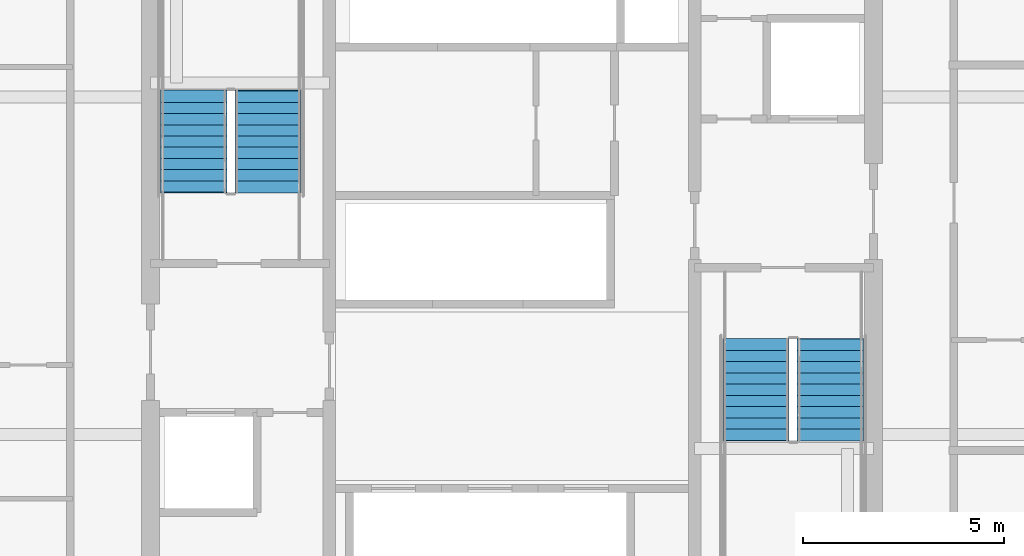
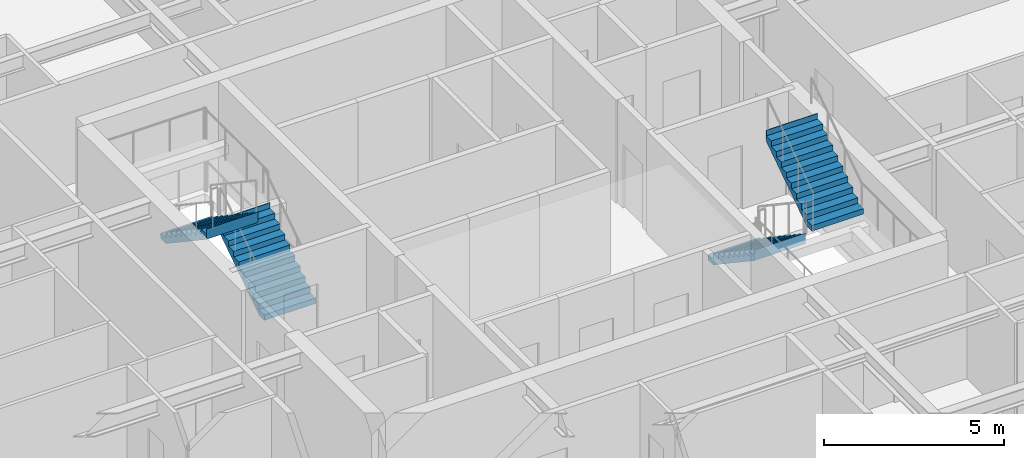
# One storey, part 33 of 38: 4 stair flights, 2 elements without a shape of their own.
"""IFC4 building model written with IfcOpenShell, lengths in metres."""

from ifc_helpers import new_model, si_unit, direction, frame, origin, place, context, subcontext, project, spatial, polygons, material, type_object, element, aggregate, save


model = new_model("IFC4")

# Units and contexts
model_context = context("Model", 3, precision=1e-05, world=origin(), true_north=direction((0.0, 1.0)))
body_context = subcontext(model_context, "Body", "Model", "MODEL_VIEW")
ifc_project = project(units=[si_unit("LENGTHUNIT", "METRE"), si_unit("AREAUNIT", "SQUARE_METRE"), si_unit("VOLUMEUNIT", "CUBIC_METRE"), si_unit("PLANEANGLEUNIT", "RADIAN"), si_unit("MASSUNIT", "GRAM", prefix="KILO")], contexts=[model_context])

# Site, building, storey
site_placement = place(None, origin())
site = spatial("IfcSite", under=ifc_project, at=site_placement, CompositionType="ELEMENT")
building_placement = place(site_placement, origin())
building = spatial("IfcBuilding", under=site, at=building_placement, Name="Serunith Strait Residences", CompositionType="ELEMENT")
storey_placement = place(building_placement, frame((0.0, 0.0, 82.949951171875)))
storey = spatial("IfcBuildingStorey", under=building, at=storey_placement, Name="L20", CompositionType="ELEMENT", Elevation=82.949951171875)

# Stair, stair flights
ifc_material = material(Name="Concrete C50/60", Category="concrete")
stair_type_1 = type_object("IfcStairType", Name="STR-CORE-1", PredefinedType="HALF_TURN_STAIR", material=ifc_material)
stair_1_placement = place(storey_placement, origin())
stair_1 = element("IfcStair", 1, at=stair_1_placement, inside=storey, type_object=stair_type_1, Name="L20 Protected Escape Stair ST-1", PredefinedType="HALF_TURN_STAIR")
stair_flight_type_1 = type_object("IfcStairFlightType", Name="FLT-CORE-1", PredefinedType="STRAIGHT", material=ifc_material)
stair_flight_1_placement = place(storey_placement, frame((26.324951171875, 27.030029296875, 0.0), z_axis=(0.0, 0.0, 1.0), x_axis=(0.0, 1.0, 0.0)))
stair_flight_1 = element("IfcStairFlight", 2, at=stair_flight_1_placement, type_object=stair_flight_type_1, Name="ST-1 flight 1", NumberOfRisers=10, NumberOfTreads=9, PredefinedType="STRAIGHT", RiserHeight=0.1875, TreadLength=0.28, context=body_context, shape_type="Tessellation", body=[
    polygons([(-0.02001953125, -0.824951171875, 0.0), (-0.02001953125, -0.824951171875, 0.1875), (0.280029296875, -0.824951171875, 0.1875), (0.280029296875, -0.824951171875, 0.375), (0.56005859375, -0.824951171875, 0.375), (0.56005859375, -0.824951171875, 0.5625), (0.840087890625, -0.824951171875, 0.5625), (0.840087890625, -0.824951171875, 0.75), (1.1201171875, -0.824951171875, 0.75), (1.1201171875, -0.824951171875, 0.9375), (1.39990234375, -0.824951171875, 0.9375), (1.39990234375, -0.824951171875, 1.125), (1.679931640625, -0.824951171875, 1.125), (1.679931640625, -0.824951171875, 1.3125), (1.9599609375, -0.824951171875, 1.3125), (1.9599609375, -0.824951171875, 1.5), (2.239990234375, -0.824951171875, 1.5), (2.239990234375, -0.824951171875, 1.6875), (2.52001953125, -0.824951171875, 1.6875), (2.52001953125, -0.824951171875, 1.875), (2.5400390625, -0.824951171875, 1.875), (2.5400390625, -0.824951171875, 1.81494140625), (2.52001953125, -0.824951171875, 1.507080078125), (0.26953125, -0.824951171875, 0.0), (-0.02001953125, -0.41259765625, 0.0), (-0.02001953125, -0.41259765625, 0.1875), (0.280029296875, -0.41259765625, 0.1875), (0.280029296875, -0.41259765625, 0.375), (0.56005859375, -0.41259765625, 0.375), (0.56005859375, -0.41259765625, 0.5625), (0.840087890625, -0.41259765625, 0.5625), (0.840087890625, -0.41259765625, 0.75), (1.1201171875, -0.41259765625, 0.75), (1.1201171875, -0.41259765625, 0.9375), (1.39990234375, -0.41259765625, 0.9375), (1.39990234375, -0.41259765625, 1.125), (1.679931640625, -0.41259765625, 1.125), (1.679931640625, -0.41259765625, 1.3125), (1.9599609375, -0.41259765625, 1.3125), (1.9599609375, -0.41259765625, 1.5), (2.239990234375, -0.41259765625, 1.5), (2.239990234375, -0.41259765625, 1.6875), (2.52001953125, -0.41259765625, 1.6875), (2.52001953125, -0.41259765625, 1.875), (2.5400390625, -0.41259765625, 1.875), (2.5400390625, -0.41259765625, 1.81494140625), (2.52001953125, -0.41259765625, 1.507080078125), (0.26953125, -0.41259765625, 0.0), (-0.02001953125, 0.0, 0.0), (-0.02001953125, 0.0, 0.1875), (0.280029296875, 0.0, 0.1875), (0.280029296875, 0.0, 0.375), (0.56005859375, 0.0, 0.375), (0.56005859375, 0.0, 0.5625), (0.840087890625, 0.0, 0.5625), (0.840087890625, 0.0, 0.75), (1.1201171875, 0.0, 0.75), (1.1201171875, 0.0, 0.9375), (1.39990234375, 0.0, 0.9375), (1.39990234375, 0.0, 1.125), (1.679931640625, 0.0, 1.125), (1.679931640625, 0.0, 1.3125), (1.9599609375, 0.0, 1.3125), (1.9599609375, 0.0, 1.5), (2.239990234375, 0.0, 1.5), (2.239990234375, 0.0, 1.6875), (2.52001953125, 0.0, 1.6875), (2.52001953125, 0.0, 1.875), (2.5400390625, 0.0, 1.875), (2.5400390625, 0.0, 1.81494140625), (2.52001953125, 0.0, 1.507080078125), (0.26953125, 0.0, 0.0), (-0.02001953125, 0.41259765625, 0.0), (-0.02001953125, 0.41259765625, 0.1875), (0.280029296875, 0.41259765625, 0.1875), (0.280029296875, 0.41259765625, 0.375), (0.56005859375, 0.41259765625, 0.375), (0.56005859375, 0.41259765625, 0.5625), (0.840087890625, 0.41259765625, 0.5625), (0.840087890625, 0.41259765625, 0.75), (1.1201171875, 0.41259765625, 0.75), (1.1201171875, 0.41259765625, 0.9375), (1.39990234375, 0.41259765625, 0.9375), (1.39990234375, 0.41259765625, 1.125), (1.679931640625, 0.41259765625, 1.125), (1.679931640625, 0.41259765625, 1.3125), (1.9599609375, 0.41259765625, 1.3125), (1.9599609375, 0.41259765625, 1.5), (2.239990234375, 0.41259765625, 1.5), (2.239990234375, 0.41259765625, 1.6875), (2.52001953125, 0.41259765625, 1.6875), (2.52001953125, 0.41259765625, 1.875), (2.5400390625, 0.41259765625, 1.875), (2.5400390625, 0.41259765625, 1.81494140625), (2.52001953125, 0.41259765625, 1.507080078125), (0.26953125, 0.41259765625, 0.0), (-0.02001953125, 0.824951171875, 0.0), (-0.02001953125, 0.824951171875, 0.1875), (0.280029296875, 0.824951171875, 0.1875), (0.280029296875, 0.824951171875, 0.375), (0.56005859375, 0.824951171875, 0.375), (0.56005859375, 0.824951171875, 0.5625), (0.840087890625, 0.824951171875, 0.5625), (0.840087890625, 0.824951171875, 0.75), (1.1201171875, 0.824951171875, 0.75), (1.1201171875, 0.824951171875, 0.9375), (1.39990234375, 0.824951171875, 0.9375), (1.39990234375, 0.824951171875, 1.125), (1.679931640625, 0.824951171875, 1.125), (1.679931640625, 0.824951171875, 1.3125), (1.9599609375, 0.824951171875, 1.3125), (1.9599609375, 0.824951171875, 1.5), (2.239990234375, 0.824951171875, 1.5), (2.239990234375, 0.824951171875, 1.6875), (2.52001953125, 0.824951171875, 1.6875), (2.52001953125, 0.824951171875, 1.875), (2.5400390625, 0.824951171875, 1.875), (2.5400390625, 0.824951171875, 1.81494140625), (2.52001953125, 0.824951171875, 1.507080078125), (0.26953125, 0.824951171875, 0.0)], [[[1, 2, 26, 25]], [[2, 3, 27, 26]], [[3, 4, 28, 27]], [[4, 5, 29, 28]], [[5, 6, 30, 29]], [[6, 7, 31, 30]], [[7, 8, 32, 31]], [[8, 9, 33, 32]], [[9, 10, 34, 33]], [[10, 11, 35, 34]], [[11, 12, 36, 35]], [[12, 13, 37, 36]], [[13, 14, 38, 37]], [[14, 15, 39, 38]], [[15, 16, 40, 39]], [[16, 17, 41, 40]], [[17, 18, 42, 41]], [[18, 19, 43, 42]], [[19, 20, 44, 43]], [[20, 21, 45, 44]], [[21, 22, 46, 45]], [[22, 23, 47, 46]], [[23, 24, 48, 47]], [[24, 1, 25, 48]], [[25, 26, 50, 49]], [[26, 27, 51, 50]], [[27, 28, 52, 51]], [[28, 29, 53, 52]], [[29, 30, 54, 53]], [[30, 31, 55, 54]], [[31, 32, 56, 55]], [[32, 33, 57, 56]], [[33, 34, 58, 57]], [[34, 35, 59, 58]], [[35, 36, 60, 59]], [[36, 37, 61, 60]], [[37, 38, 62, 61]], [[38, 39, 63, 62]], [[39, 40, 64, 63]], [[40, 41, 65, 64]], [[41, 42, 66, 65]], [[42, 43, 67, 66]], [[43, 44, 68, 67]], [[44, 45, 69, 68]], [[45, 46, 70, 69]], [[46, 47, 71, 70]], [[47, 48, 72, 71]], [[48, 25, 49, 72]], [[49, 50, 74, 73]], [[50, 51, 75, 74]], [[51, 52, 76, 75]], [[52, 53, 77, 76]], [[53, 54, 78, 77]], [[54, 55, 79, 78]], [[55, 56, 80, 79]], [[56, 57, 81, 80]], [[57, 58, 82, 81]], [[58, 59, 83, 82]], [[59, 60, 84, 83]], [[60, 61, 85, 84]], [[61, 62, 86, 85]], [[62, 63, 87, 86]], [[63, 64, 88, 87]], [[64, 65, 89, 88]], [[65, 66, 90, 89]], [[66, 67, 91, 90]], [[67, 68, 92, 91]], [[68, 69, 93, 92]], [[69, 70, 94, 93]], [[70, 71, 95, 94]], [[71, 72, 96, 95]], [[72, 49, 73, 96]], [[73, 74, 98, 97]], [[74, 75, 99, 98]], [[75, 76, 100, 99]], [[76, 77, 101, 100]], [[77, 78, 102, 101]], [[78, 79, 103, 102]], [[79, 80, 104, 103]], [[80, 81, 105, 104]], [[81, 82, 106, 105]], [[82, 83, 107, 106]], [[83, 84, 108, 107]], [[84, 85, 109, 108]], [[85, 86, 110, 109]], [[86, 87, 111, 110]], [[87, 88, 112, 111]], [[88, 89, 113, 112]], [[89, 90, 114, 113]], [[90, 91, 115, 114]], [[91, 92, 116, 115]], [[92, 93, 117, 116]], [[93, 94, 118, 117]], [[94, 95, 119, 118]], [[95, 96, 120, 119]], [[96, 73, 97, 120]], [[24, 23, 22, 21, 20, 19, 18, 17, 16, 15, 14, 13, 12, 11, 10, 9, 8, 7, 6, 5, 4, 3, 2, 1]], [[97, 98, 99, 100, 101, 102, 103, 104, 105, 106, 107, 108, 109, 110, 111, 112, 113, 114, 115, 116, 117, 118, 119, 120]]], closed=True),
])
stair_flight_2_placement = place(storey_placement, frame((24.47509765625, 29.550048828125, 1.875), z_axis=(0.0, 0.0, 1.0), x_axis=(0.0, -1.0, 0.0)))
stair_flight_2 = element("IfcStairFlight", 3, at=stair_flight_2_placement, type_object=stair_flight_type_1, Name="ST-1 flight 2", NumberOfRisers=10, NumberOfTreads=9, PredefinedType="STRAIGHT", RiserHeight=0.1875, TreadLength=0.28, context=body_context, shape_type="Tessellation", body=[
    polygons([(-0.02001953125, -0.824951171875, 0.0), (-0.02001953125, -0.824951171875, 0.1875), (0.280029296875, -0.824951171875, 0.1875), (0.280029296875, -0.824951171875, 0.375), (0.56005859375, -0.824951171875, 0.375), (0.56005859375, -0.824951171875, 0.5625), (0.840087890625, -0.824951171875, 0.5625), (0.840087890625, -0.824951171875, 0.75), (1.1201171875, -0.824951171875, 0.75), (1.1201171875, -0.824951171875, 0.9375), (1.39990234375, -0.824951171875, 0.9375), (1.39990234375, -0.824951171875, 1.125), (1.679931640625, -0.824951171875, 1.125), (1.679931640625, -0.824951171875, 1.3125), (1.9599609375, -0.824951171875, 1.3125), (1.9599609375, -0.824951171875, 1.5), (2.239990234375, -0.824951171875, 1.5), (2.239990234375, -0.824951171875, 1.6875), (2.52001953125, -0.824951171875, 1.6875), (2.52001953125, -0.824951171875, 1.875), (2.5400390625, -0.824951171875, 1.875), (2.5400390625, -0.824951171875, 1.81494140625), (2.52001953125, -0.824951171875, 1.507080078125), (0.26953125, -0.824951171875, 0.0), (-0.02001953125, -0.41259765625, 0.0), (-0.02001953125, -0.41259765625, 0.1875), (0.280029296875, -0.41259765625, 0.1875), (0.280029296875, -0.41259765625, 0.375), (0.56005859375, -0.41259765625, 0.375), (0.56005859375, -0.41259765625, 0.5625), (0.840087890625, -0.41259765625, 0.5625), (0.840087890625, -0.41259765625, 0.75), (1.1201171875, -0.41259765625, 0.75), (1.1201171875, -0.41259765625, 0.9375), (1.39990234375, -0.41259765625, 0.9375), (1.39990234375, -0.41259765625, 1.125), (1.679931640625, -0.41259765625, 1.125), (1.679931640625, -0.41259765625, 1.3125), (1.9599609375, -0.41259765625, 1.3125), (1.9599609375, -0.41259765625, 1.5), (2.239990234375, -0.41259765625, 1.5), (2.239990234375, -0.41259765625, 1.6875), (2.52001953125, -0.41259765625, 1.6875), (2.52001953125, -0.41259765625, 1.875), (2.5400390625, -0.41259765625, 1.875), (2.5400390625, -0.41259765625, 1.81494140625), (2.52001953125, -0.41259765625, 1.507080078125), (0.26953125, -0.41259765625, 0.0), (-0.02001953125, 0.0, 0.0), (-0.02001953125, 0.0, 0.1875), (0.280029296875, 0.0, 0.1875), (0.280029296875, 0.0, 0.375), (0.56005859375, 0.0, 0.375), (0.56005859375, 0.0, 0.5625), (0.840087890625, 0.0, 0.5625), (0.840087890625, 0.0, 0.75), (1.1201171875, 0.0, 0.75), (1.1201171875, 0.0, 0.9375), (1.39990234375, 0.0, 0.9375), (1.39990234375, 0.0, 1.125), (1.679931640625, 0.0, 1.125), (1.679931640625, 0.0, 1.3125), (1.9599609375, 0.0, 1.3125), (1.9599609375, 0.0, 1.5), (2.239990234375, 0.0, 1.5), (2.239990234375, 0.0, 1.6875), (2.52001953125, 0.0, 1.6875), (2.52001953125, 0.0, 1.875), (2.5400390625, 0.0, 1.875), (2.5400390625, 0.0, 1.81494140625), (2.52001953125, 0.0, 1.507080078125), (0.26953125, 0.0, 0.0), (-0.02001953125, 0.41259765625, 0.0), (-0.02001953125, 0.41259765625, 0.1875), (0.280029296875, 0.41259765625, 0.1875), (0.280029296875, 0.41259765625, 0.375), (0.56005859375, 0.41259765625, 0.375), (0.56005859375, 0.41259765625, 0.5625), (0.840087890625, 0.41259765625, 0.5625), (0.840087890625, 0.41259765625, 0.75), (1.1201171875, 0.41259765625, 0.75), (1.1201171875, 0.41259765625, 0.9375), (1.39990234375, 0.41259765625, 0.9375), (1.39990234375, 0.41259765625, 1.125), (1.679931640625, 0.41259765625, 1.125), (1.679931640625, 0.41259765625, 1.3125), (1.9599609375, 0.41259765625, 1.3125), (1.9599609375, 0.41259765625, 1.5), (2.239990234375, 0.41259765625, 1.5), (2.239990234375, 0.41259765625, 1.6875), (2.52001953125, 0.41259765625, 1.6875), (2.52001953125, 0.41259765625, 1.875), (2.5400390625, 0.41259765625, 1.875), (2.5400390625, 0.41259765625, 1.81494140625), (2.52001953125, 0.41259765625, 1.507080078125), (0.26953125, 0.41259765625, 0.0), (-0.02001953125, 0.824951171875, 0.0), (-0.02001953125, 0.824951171875, 0.1875), (0.280029296875, 0.824951171875, 0.1875), (0.280029296875, 0.824951171875, 0.375), (0.56005859375, 0.824951171875, 0.375), (0.56005859375, 0.824951171875, 0.5625), (0.840087890625, 0.824951171875, 0.5625), (0.840087890625, 0.824951171875, 0.75), (1.1201171875, 0.824951171875, 0.75), (1.1201171875, 0.824951171875, 0.9375), (1.39990234375, 0.824951171875, 0.9375), (1.39990234375, 0.824951171875, 1.125), (1.679931640625, 0.824951171875, 1.125), (1.679931640625, 0.824951171875, 1.3125), (1.9599609375, 0.824951171875, 1.3125), (1.9599609375, 0.824951171875, 1.5), (2.239990234375, 0.824951171875, 1.5), (2.239990234375, 0.824951171875, 1.6875), (2.52001953125, 0.824951171875, 1.6875), (2.52001953125, 0.824951171875, 1.875), (2.5400390625, 0.824951171875, 1.875), (2.5400390625, 0.824951171875, 1.81494140625), (2.52001953125, 0.824951171875, 1.507080078125), (0.26953125, 0.824951171875, 0.0)], [[[1, 2, 26, 25]], [[2, 3, 27, 26]], [[3, 4, 28, 27]], [[4, 5, 29, 28]], [[5, 6, 30, 29]], [[6, 7, 31, 30]], [[7, 8, 32, 31]], [[8, 9, 33, 32]], [[9, 10, 34, 33]], [[10, 11, 35, 34]], [[11, 12, 36, 35]], [[12, 13, 37, 36]], [[13, 14, 38, 37]], [[14, 15, 39, 38]], [[15, 16, 40, 39]], [[16, 17, 41, 40]], [[17, 18, 42, 41]], [[18, 19, 43, 42]], [[19, 20, 44, 43]], [[20, 21, 45, 44]], [[21, 22, 46, 45]], [[22, 23, 47, 46]], [[23, 24, 48, 47]], [[24, 1, 25, 48]], [[25, 26, 50, 49]], [[26, 27, 51, 50]], [[27, 28, 52, 51]], [[28, 29, 53, 52]], [[29, 30, 54, 53]], [[30, 31, 55, 54]], [[31, 32, 56, 55]], [[32, 33, 57, 56]], [[33, 34, 58, 57]], [[34, 35, 59, 58]], [[35, 36, 60, 59]], [[36, 37, 61, 60]], [[37, 38, 62, 61]], [[38, 39, 63, 62]], [[39, 40, 64, 63]], [[40, 41, 65, 64]], [[41, 42, 66, 65]], [[42, 43, 67, 66]], [[43, 44, 68, 67]], [[44, 45, 69, 68]], [[45, 46, 70, 69]], [[46, 47, 71, 70]], [[47, 48, 72, 71]], [[48, 25, 49, 72]], [[49, 50, 74, 73]], [[50, 51, 75, 74]], [[51, 52, 76, 75]], [[52, 53, 77, 76]], [[53, 54, 78, 77]], [[54, 55, 79, 78]], [[55, 56, 80, 79]], [[56, 57, 81, 80]], [[57, 58, 82, 81]], [[58, 59, 83, 82]], [[59, 60, 84, 83]], [[60, 61, 85, 84]], [[61, 62, 86, 85]], [[62, 63, 87, 86]], [[63, 64, 88, 87]], [[64, 65, 89, 88]], [[65, 66, 90, 89]], [[66, 67, 91, 90]], [[67, 68, 92, 91]], [[68, 69, 93, 92]], [[69, 70, 94, 93]], [[70, 71, 95, 94]], [[71, 72, 96, 95]], [[72, 49, 73, 96]], [[73, 74, 98, 97]], [[74, 75, 99, 98]], [[75, 76, 100, 99]], [[76, 77, 101, 100]], [[77, 78, 102, 101]], [[78, 79, 103, 102]], [[79, 80, 104, 103]], [[80, 81, 105, 104]], [[81, 82, 106, 105]], [[82, 83, 107, 106]], [[83, 84, 108, 107]], [[84, 85, 109, 108]], [[85, 86, 110, 109]], [[86, 87, 111, 110]], [[87, 88, 112, 111]], [[88, 89, 113, 112]], [[89, 90, 114, 113]], [[90, 91, 115, 114]], [[91, 92, 116, 115]], [[92, 93, 117, 116]], [[93, 94, 118, 117]], [[94, 95, 119, 118]], [[95, 96, 120, 119]], [[96, 73, 97, 120]], [[24, 23, 22, 21, 20, 19, 18, 17, 16, 15, 14, 13, 12, 11, 10, 9, 8, 7, 6, 5, 4, 3, 2, 1]], [[97, 98, 99, 100, 101, 102, 103, 104, 105, 106, 107, 108, 109, 110, 111, 112, 113, 114, 115, 116, 117, 118, 119, 120]]], closed=True),
])
aggregate(stair_1, [stair_flight_1, stair_flight_2])

stair_type_2 = type_object("IfcStairType", Name="STR-CORE-2", PredefinedType="HALF_TURN_STAIR", material=ifc_material)
stair_2_placement = place(storey_placement, origin())
stair_2 = element("IfcStair", 4, at=stair_2_placement, inside=storey, type_object=stair_type_2, Name="L20 Protected Escape Stair ST-2", PredefinedType="HALF_TURN_STAIR")
stair_flight_type_2 = type_object("IfcStairFlightType", Name="FLT-CORE-2", PredefinedType="STRAIGHT", material=ifc_material)
stair_flight_3_placement = place(storey_placement, frame((38.47509765625, 23.3701171875, 0.0), z_axis=(0.0, 0.0, 1.0), x_axis=(0.0, -1.0, 0.0)))
stair_flight_3 = element("IfcStairFlight", 5, at=stair_flight_3_placement, type_object=stair_flight_type_2, Name="ST-2 flight 1", NumberOfRisers=10, NumberOfTreads=9, PredefinedType="STRAIGHT", RiserHeight=0.1875, TreadLength=0.28, context=body_context, shape_type="Tessellation", body=[
    polygons([(-0.02001953125, -0.824951171875, 0.0), (-0.02001953125, -0.824951171875, 0.1875), (0.280029296875, -0.824951171875, 0.1875), (0.280029296875, -0.824951171875, 0.375), (0.56005859375, -0.824951171875, 0.375), (0.56005859375, -0.824951171875, 0.5625), (0.840087890625, -0.824951171875, 0.5625), (0.840087890625, -0.824951171875, 0.75), (1.1201171875, -0.824951171875, 0.75), (1.1201171875, -0.824951171875, 0.9375), (1.39990234375, -0.824951171875, 0.9375), (1.39990234375, -0.824951171875, 1.125), (1.679931640625, -0.824951171875, 1.125), (1.679931640625, -0.824951171875, 1.3125), (1.9599609375, -0.824951171875, 1.3125), (1.9599609375, -0.824951171875, 1.5), (2.239990234375, -0.824951171875, 1.5), (2.239990234375, -0.824951171875, 1.6875), (2.52001953125, -0.824951171875, 1.6875), (2.52001953125, -0.824951171875, 1.875), (2.5400390625, -0.824951171875, 1.875), (2.5400390625, -0.824951171875, 1.81494140625), (2.52001953125, -0.824951171875, 1.507080078125), (0.26953125, -0.824951171875, 0.0), (-0.02001953125, -0.41259765625, 0.0), (-0.02001953125, -0.41259765625, 0.1875), (0.280029296875, -0.41259765625, 0.1875), (0.280029296875, -0.41259765625, 0.375), (0.56005859375, -0.41259765625, 0.375), (0.56005859375, -0.41259765625, 0.5625), (0.840087890625, -0.41259765625, 0.5625), (0.840087890625, -0.41259765625, 0.75), (1.1201171875, -0.41259765625, 0.75), (1.1201171875, -0.41259765625, 0.9375), (1.39990234375, -0.41259765625, 0.9375), (1.39990234375, -0.41259765625, 1.125), (1.679931640625, -0.41259765625, 1.125), (1.679931640625, -0.41259765625, 1.3125), (1.9599609375, -0.41259765625, 1.3125), (1.9599609375, -0.41259765625, 1.5), (2.239990234375, -0.41259765625, 1.5), (2.239990234375, -0.41259765625, 1.6875), (2.52001953125, -0.41259765625, 1.6875), (2.52001953125, -0.41259765625, 1.875), (2.5400390625, -0.41259765625, 1.875), (2.5400390625, -0.41259765625, 1.81494140625), (2.52001953125, -0.41259765625, 1.507080078125), (0.26953125, -0.41259765625, 0.0), (-0.02001953125, 0.0, 0.0), (-0.02001953125, 0.0, 0.1875), (0.280029296875, 0.0, 0.1875), (0.280029296875, 0.0, 0.375), (0.56005859375, 0.0, 0.375), (0.56005859375, 0.0, 0.5625), (0.840087890625, 0.0, 0.5625), (0.840087890625, 0.0, 0.75), (1.1201171875, 0.0, 0.75), (1.1201171875, 0.0, 0.9375), (1.39990234375, 0.0, 0.9375), (1.39990234375, 0.0, 1.125), (1.679931640625, 0.0, 1.125), (1.679931640625, 0.0, 1.3125), (1.9599609375, 0.0, 1.3125), (1.9599609375, 0.0, 1.5), (2.239990234375, 0.0, 1.5), (2.239990234375, 0.0, 1.6875), (2.52001953125, 0.0, 1.6875), (2.52001953125, 0.0, 1.875), (2.5400390625, 0.0, 1.875), (2.5400390625, 0.0, 1.81494140625), (2.52001953125, 0.0, 1.507080078125), (0.26953125, 0.0, 0.0), (-0.02001953125, 0.41259765625, 0.0), (-0.02001953125, 0.41259765625, 0.1875), (0.280029296875, 0.41259765625, 0.1875), (0.280029296875, 0.41259765625, 0.375), (0.56005859375, 0.41259765625, 0.375), (0.56005859375, 0.41259765625, 0.5625), (0.840087890625, 0.41259765625, 0.5625), (0.840087890625, 0.41259765625, 0.75), (1.1201171875, 0.41259765625, 0.75), (1.1201171875, 0.41259765625, 0.9375), (1.39990234375, 0.41259765625, 0.9375), (1.39990234375, 0.41259765625, 1.125), (1.679931640625, 0.41259765625, 1.125), (1.679931640625, 0.41259765625, 1.3125), (1.9599609375, 0.41259765625, 1.3125), (1.9599609375, 0.41259765625, 1.5), (2.239990234375, 0.41259765625, 1.5), (2.239990234375, 0.41259765625, 1.6875), (2.52001953125, 0.41259765625, 1.6875), (2.52001953125, 0.41259765625, 1.875), (2.5400390625, 0.41259765625, 1.875), (2.5400390625, 0.41259765625, 1.81494140625), (2.52001953125, 0.41259765625, 1.507080078125), (0.26953125, 0.41259765625, 0.0), (-0.02001953125, 0.824951171875, 0.0), (-0.02001953125, 0.824951171875, 0.1875), (0.280029296875, 0.824951171875, 0.1875), (0.280029296875, 0.824951171875, 0.375), (0.56005859375, 0.824951171875, 0.375), (0.56005859375, 0.824951171875, 0.5625), (0.840087890625, 0.824951171875, 0.5625), (0.840087890625, 0.824951171875, 0.75), (1.1201171875, 0.824951171875, 0.75), (1.1201171875, 0.824951171875, 0.9375), (1.39990234375, 0.824951171875, 0.9375), (1.39990234375, 0.824951171875, 1.125), (1.679931640625, 0.824951171875, 1.125), (1.679931640625, 0.824951171875, 1.3125), (1.9599609375, 0.824951171875, 1.3125), (1.9599609375, 0.824951171875, 1.5), (2.239990234375, 0.824951171875, 1.5), (2.239990234375, 0.824951171875, 1.6875), (2.52001953125, 0.824951171875, 1.6875), (2.52001953125, 0.824951171875, 1.875), (2.5400390625, 0.824951171875, 1.875), (2.5400390625, 0.824951171875, 1.81494140625), (2.52001953125, 0.824951171875, 1.507080078125), (0.26953125, 0.824951171875, 0.0)], [[[1, 2, 26, 25]], [[2, 3, 27, 26]], [[3, 4, 28, 27]], [[4, 5, 29, 28]], [[5, 6, 30, 29]], [[6, 7, 31, 30]], [[7, 8, 32, 31]], [[8, 9, 33, 32]], [[9, 10, 34, 33]], [[10, 11, 35, 34]], [[11, 12, 36, 35]], [[12, 13, 37, 36]], [[13, 14, 38, 37]], [[14, 15, 39, 38]], [[15, 16, 40, 39]], [[16, 17, 41, 40]], [[17, 18, 42, 41]], [[18, 19, 43, 42]], [[19, 20, 44, 43]], [[20, 21, 45, 44]], [[21, 22, 46, 45]], [[22, 23, 47, 46]], [[23, 24, 48, 47]], [[24, 1, 25, 48]], [[25, 26, 50, 49]], [[26, 27, 51, 50]], [[27, 28, 52, 51]], [[28, 29, 53, 52]], [[29, 30, 54, 53]], [[30, 31, 55, 54]], [[31, 32, 56, 55]], [[32, 33, 57, 56]], [[33, 34, 58, 57]], [[34, 35, 59, 58]], [[35, 36, 60, 59]], [[36, 37, 61, 60]], [[37, 38, 62, 61]], [[38, 39, 63, 62]], [[39, 40, 64, 63]], [[40, 41, 65, 64]], [[41, 42, 66, 65]], [[42, 43, 67, 66]], [[43, 44, 68, 67]], [[44, 45, 69, 68]], [[45, 46, 70, 69]], [[46, 47, 71, 70]], [[47, 48, 72, 71]], [[48, 25, 49, 72]], [[49, 50, 74, 73]], [[50, 51, 75, 74]], [[51, 52, 76, 75]], [[52, 53, 77, 76]], [[53, 54, 78, 77]], [[54, 55, 79, 78]], [[55, 56, 80, 79]], [[56, 57, 81, 80]], [[57, 58, 82, 81]], [[58, 59, 83, 82]], [[59, 60, 84, 83]], [[60, 61, 85, 84]], [[61, 62, 86, 85]], [[62, 63, 87, 86]], [[63, 64, 88, 87]], [[64, 65, 89, 88]], [[65, 66, 90, 89]], [[66, 67, 91, 90]], [[67, 68, 92, 91]], [[68, 69, 93, 92]], [[69, 70, 94, 93]], [[70, 71, 95, 94]], [[71, 72, 96, 95]], [[72, 49, 73, 96]], [[73, 74, 98, 97]], [[74, 75, 99, 98]], [[75, 76, 100, 99]], [[76, 77, 101, 100]], [[77, 78, 102, 101]], [[78, 79, 103, 102]], [[79, 80, 104, 103]], [[80, 81, 105, 104]], [[81, 82, 106, 105]], [[82, 83, 107, 106]], [[83, 84, 108, 107]], [[84, 85, 109, 108]], [[85, 86, 110, 109]], [[86, 87, 111, 110]], [[87, 88, 112, 111]], [[88, 89, 113, 112]], [[89, 90, 114, 113]], [[90, 91, 115, 114]], [[91, 92, 116, 115]], [[92, 93, 117, 116]], [[93, 94, 118, 117]], [[94, 95, 119, 118]], [[95, 96, 120, 119]], [[96, 73, 97, 120]], [[24, 23, 22, 21, 20, 19, 18, 17, 16, 15, 14, 13, 12, 11, 10, 9, 8, 7, 6, 5, 4, 3, 2, 1]], [[97, 98, 99, 100, 101, 102, 103, 104, 105, 106, 107, 108, 109, 110, 111, 112, 113, 114, 115, 116, 117, 118, 119, 120]]], closed=True),
])
stair_flight_4_placement = place(storey_placement, frame((40.324951171875, 20.85009765625, 1.875), z_axis=(0.0, 0.0, 1.0), x_axis=(0.0, 1.0, 0.0)))
stair_flight_4 = element("IfcStairFlight", 6, at=stair_flight_4_placement, type_object=stair_flight_type_2, Name="ST-2 flight 2", NumberOfRisers=10, NumberOfTreads=9, PredefinedType="STRAIGHT", RiserHeight=0.1875, TreadLength=0.28, context=body_context, shape_type="Tessellation", body=[
    polygons([(-0.02001953125, -0.824951171875, 0.0), (-0.02001953125, -0.824951171875, 0.1875), (0.280029296875, -0.824951171875, 0.1875), (0.280029296875, -0.824951171875, 0.375), (0.56005859375, -0.824951171875, 0.375), (0.56005859375, -0.824951171875, 0.5625), (0.840087890625, -0.824951171875, 0.5625), (0.840087890625, -0.824951171875, 0.75), (1.1201171875, -0.824951171875, 0.75), (1.1201171875, -0.824951171875, 0.9375), (1.39990234375, -0.824951171875, 0.9375), (1.39990234375, -0.824951171875, 1.125), (1.679931640625, -0.824951171875, 1.125), (1.679931640625, -0.824951171875, 1.3125), (1.9599609375, -0.824951171875, 1.3125), (1.9599609375, -0.824951171875, 1.5), (2.239990234375, -0.824951171875, 1.5), (2.239990234375, -0.824951171875, 1.6875), (2.52001953125, -0.824951171875, 1.6875), (2.52001953125, -0.824951171875, 1.875), (2.5400390625, -0.824951171875, 1.875), (2.5400390625, -0.824951171875, 1.81494140625), (2.52001953125, -0.824951171875, 1.507080078125), (0.26953125, -0.824951171875, 0.0), (-0.02001953125, -0.41259765625, 0.0), (-0.02001953125, -0.41259765625, 0.1875), (0.280029296875, -0.41259765625, 0.1875), (0.280029296875, -0.41259765625, 0.375), (0.56005859375, -0.41259765625, 0.375), (0.56005859375, -0.41259765625, 0.5625), (0.840087890625, -0.41259765625, 0.5625), (0.840087890625, -0.41259765625, 0.75), (1.1201171875, -0.41259765625, 0.75), (1.1201171875, -0.41259765625, 0.9375), (1.39990234375, -0.41259765625, 0.9375), (1.39990234375, -0.41259765625, 1.125), (1.679931640625, -0.41259765625, 1.125), (1.679931640625, -0.41259765625, 1.3125), (1.9599609375, -0.41259765625, 1.3125), (1.9599609375, -0.41259765625, 1.5), (2.239990234375, -0.41259765625, 1.5), (2.239990234375, -0.41259765625, 1.6875), (2.52001953125, -0.41259765625, 1.6875), (2.52001953125, -0.41259765625, 1.875), (2.5400390625, -0.41259765625, 1.875), (2.5400390625, -0.41259765625, 1.81494140625), (2.52001953125, -0.41259765625, 1.507080078125), (0.26953125, -0.41259765625, 0.0), (-0.02001953125, 0.0, 0.0), (-0.02001953125, 0.0, 0.1875), (0.280029296875, 0.0, 0.1875), (0.280029296875, 0.0, 0.375), (0.56005859375, 0.0, 0.375), (0.56005859375, 0.0, 0.5625), (0.840087890625, 0.0, 0.5625), (0.840087890625, 0.0, 0.75), (1.1201171875, 0.0, 0.75), (1.1201171875, 0.0, 0.9375), (1.39990234375, 0.0, 0.9375), (1.39990234375, 0.0, 1.125), (1.679931640625, 0.0, 1.125), (1.679931640625, 0.0, 1.3125), (1.9599609375, 0.0, 1.3125), (1.9599609375, 0.0, 1.5), (2.239990234375, 0.0, 1.5), (2.239990234375, 0.0, 1.6875), (2.52001953125, 0.0, 1.6875), (2.52001953125, 0.0, 1.875), (2.5400390625, 0.0, 1.875), (2.5400390625, 0.0, 1.81494140625), (2.52001953125, 0.0, 1.507080078125), (0.26953125, 0.0, 0.0), (-0.02001953125, 0.41259765625, 0.0), (-0.02001953125, 0.41259765625, 0.1875), (0.280029296875, 0.41259765625, 0.1875), (0.280029296875, 0.41259765625, 0.375), (0.56005859375, 0.41259765625, 0.375), (0.56005859375, 0.41259765625, 0.5625), (0.840087890625, 0.41259765625, 0.5625), (0.840087890625, 0.41259765625, 0.75), (1.1201171875, 0.41259765625, 0.75), (1.1201171875, 0.41259765625, 0.9375), (1.39990234375, 0.41259765625, 0.9375), (1.39990234375, 0.41259765625, 1.125), (1.679931640625, 0.41259765625, 1.125), (1.679931640625, 0.41259765625, 1.3125), (1.9599609375, 0.41259765625, 1.3125), (1.9599609375, 0.41259765625, 1.5), (2.239990234375, 0.41259765625, 1.5), (2.239990234375, 0.41259765625, 1.6875), (2.52001953125, 0.41259765625, 1.6875), (2.52001953125, 0.41259765625, 1.875), (2.5400390625, 0.41259765625, 1.875), (2.5400390625, 0.41259765625, 1.81494140625), (2.52001953125, 0.41259765625, 1.507080078125), (0.26953125, 0.41259765625, 0.0), (-0.02001953125, 0.824951171875, 0.0), (-0.02001953125, 0.824951171875, 0.1875), (0.280029296875, 0.824951171875, 0.1875), (0.280029296875, 0.824951171875, 0.375), (0.56005859375, 0.824951171875, 0.375), (0.56005859375, 0.824951171875, 0.5625), (0.840087890625, 0.824951171875, 0.5625), (0.840087890625, 0.824951171875, 0.75), (1.1201171875, 0.824951171875, 0.75), (1.1201171875, 0.824951171875, 0.9375), (1.39990234375, 0.824951171875, 0.9375), (1.39990234375, 0.824951171875, 1.125), (1.679931640625, 0.824951171875, 1.125), (1.679931640625, 0.824951171875, 1.3125), (1.9599609375, 0.824951171875, 1.3125), (1.9599609375, 0.824951171875, 1.5), (2.239990234375, 0.824951171875, 1.5), (2.239990234375, 0.824951171875, 1.6875), (2.52001953125, 0.824951171875, 1.6875), (2.52001953125, 0.824951171875, 1.875), (2.5400390625, 0.824951171875, 1.875), (2.5400390625, 0.824951171875, 1.81494140625), (2.52001953125, 0.824951171875, 1.507080078125), (0.26953125, 0.824951171875, 0.0)], [[[1, 2, 26, 25]], [[2, 3, 27, 26]], [[3, 4, 28, 27]], [[4, 5, 29, 28]], [[5, 6, 30, 29]], [[6, 7, 31, 30]], [[7, 8, 32, 31]], [[8, 9, 33, 32]], [[9, 10, 34, 33]], [[10, 11, 35, 34]], [[11, 12, 36, 35]], [[12, 13, 37, 36]], [[13, 14, 38, 37]], [[14, 15, 39, 38]], [[15, 16, 40, 39]], [[16, 17, 41, 40]], [[17, 18, 42, 41]], [[18, 19, 43, 42]], [[19, 20, 44, 43]], [[20, 21, 45, 44]], [[21, 22, 46, 45]], [[22, 23, 47, 46]], [[23, 24, 48, 47]], [[24, 1, 25, 48]], [[25, 26, 50, 49]], [[26, 27, 51, 50]], [[27, 28, 52, 51]], [[28, 29, 53, 52]], [[29, 30, 54, 53]], [[30, 31, 55, 54]], [[31, 32, 56, 55]], [[32, 33, 57, 56]], [[33, 34, 58, 57]], [[34, 35, 59, 58]], [[35, 36, 60, 59]], [[36, 37, 61, 60]], [[37, 38, 62, 61]], [[38, 39, 63, 62]], [[39, 40, 64, 63]], [[40, 41, 65, 64]], [[41, 42, 66, 65]], [[42, 43, 67, 66]], [[43, 44, 68, 67]], [[44, 45, 69, 68]], [[45, 46, 70, 69]], [[46, 47, 71, 70]], [[47, 48, 72, 71]], [[48, 25, 49, 72]], [[49, 50, 74, 73]], [[50, 51, 75, 74]], [[51, 52, 76, 75]], [[52, 53, 77, 76]], [[53, 54, 78, 77]], [[54, 55, 79, 78]], [[55, 56, 80, 79]], [[56, 57, 81, 80]], [[57, 58, 82, 81]], [[58, 59, 83, 82]], [[59, 60, 84, 83]], [[60, 61, 85, 84]], [[61, 62, 86, 85]], [[62, 63, 87, 86]], [[63, 64, 88, 87]], [[64, 65, 89, 88]], [[65, 66, 90, 89]], [[66, 67, 91, 90]], [[67, 68, 92, 91]], [[68, 69, 93, 92]], [[69, 70, 94, 93]], [[70, 71, 95, 94]], [[71, 72, 96, 95]], [[72, 49, 73, 96]], [[73, 74, 98, 97]], [[74, 75, 99, 98]], [[75, 76, 100, 99]], [[76, 77, 101, 100]], [[77, 78, 102, 101]], [[78, 79, 103, 102]], [[79, 80, 104, 103]], [[80, 81, 105, 104]], [[81, 82, 106, 105]], [[82, 83, 107, 106]], [[83, 84, 108, 107]], [[84, 85, 109, 108]], [[85, 86, 110, 109]], [[86, 87, 111, 110]], [[87, 88, 112, 111]], [[88, 89, 113, 112]], [[89, 90, 114, 113]], [[90, 91, 115, 114]], [[91, 92, 116, 115]], [[92, 93, 117, 116]], [[93, 94, 118, 117]], [[94, 95, 119, 118]], [[95, 96, 120, 119]], [[96, 73, 97, 120]], [[24, 23, 22, 21, 20, 19, 18, 17, 16, 15, 14, 13, 12, 11, 10, 9, 8, 7, 6, 5, 4, 3, 2, 1]], [[97, 98, 99, 100, 101, 102, 103, 104, 105, 106, 107, 108, 109, 110, 111, 112, 113, 114, 115, 116, 117, 118, 119, 120]]], closed=True),
])
aggregate(stair_2, [stair_flight_3, stair_flight_4])

save(model, "model.ifc")
